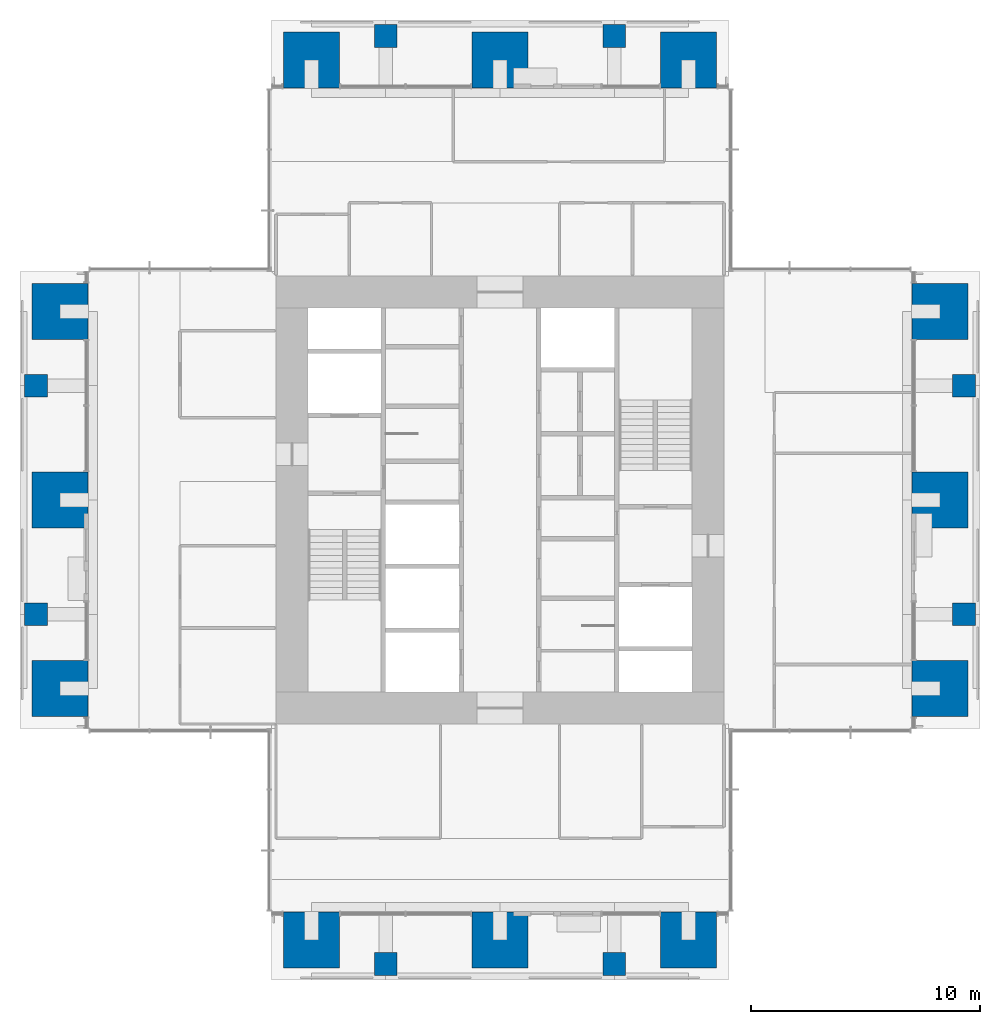
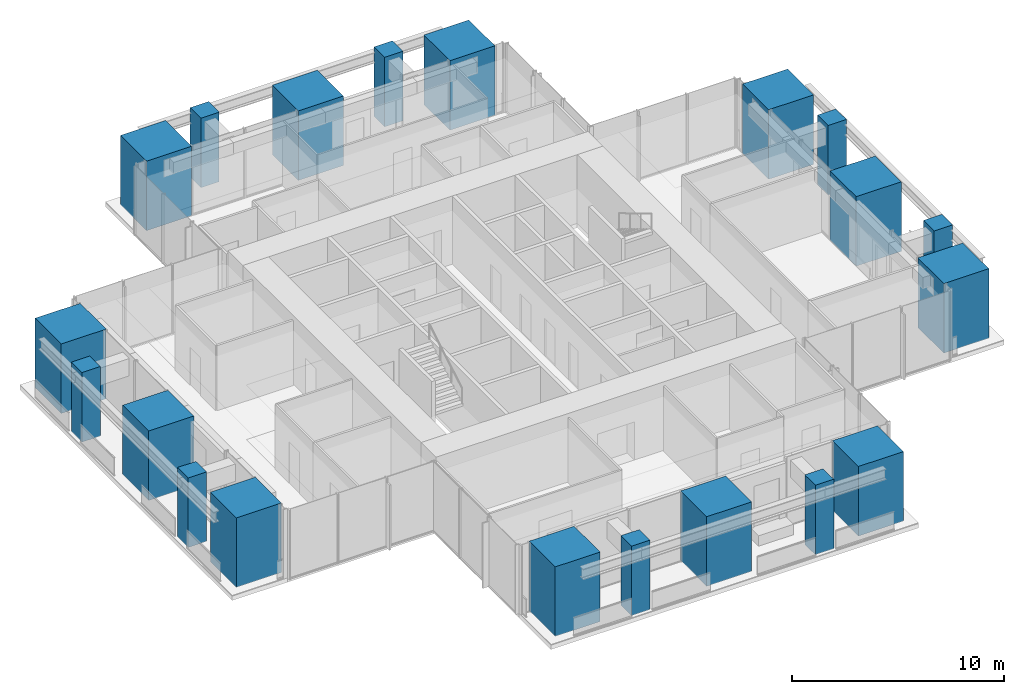
# One storey, part 1 of 17: 20 columns.
"""IFC4 building model written with IfcOpenShell, lengths in metres."""

from ifc_helpers import new_model, si_unit, direction, frame, origin, origin_2d, place, context, subcontext, project, spatial, rectangle, extrude, material, material_profile, profile_set, type_object, element, save


model = new_model("IFC4")

# Units and contexts
model_context = context("Model", 3, precision=1e-05, world=origin(), true_north=direction((0.0, 1.0)))
body_context = subcontext(model_context, "Body", "Model", "MODEL_VIEW")
ifc_project = project(units=[si_unit("LENGTHUNIT", "METRE"), si_unit("AREAUNIT", "SQUARE_METRE"), si_unit("VOLUMEUNIT", "CUBIC_METRE"), si_unit("PLANEANGLEUNIT", "RADIAN"), si_unit("MASSUNIT", "GRAM", prefix="KILO")], contexts=[model_context])

# Site, building, storey
site_placement = place(None, origin())
site = spatial("IfcSite", under=ifc_project, at=site_placement, CompositionType="ELEMENT")
building_placement = place(site_placement, origin())
building = spatial("IfcBuilding", under=site, at=building_placement, Name="Svetlomir Tower", CompositionType="ELEMENT")
storey_placement = place(building_placement, frame((0.0, 0.0, 186.5)))
storey = spatial("IfcBuildingStorey", under=building, at=storey_placement, Name="L44", CompositionType="ELEMENT", Elevation=186.5)

# Columns
ifc_material_1 = material(Name="Concrete C60/75", Category="concrete")
ifc_material_profile_1 = material_profile(ifc_material_1, rectangle(XDim=1.0, YDim=1.0, at=origin_2d()), Name="RC 1000x1000")
ifc_profile_set_1 = profile_set([ifc_material_profile_1], Name="Concrete C60/75")
column_type_1 = type_object("IfcColumnType", Name="COLUMN RC 1000x1000", PredefinedType="COLUMN", material=ifc_profile_set_1)
for number, where, z_axis, x_axis, name in (
    (1, (16.0, 0.699951171875, 0.0), (0.0, 0.0, 1.0), (1.0, 0.0, 0.0), "Column 16/0 L44"),
    (2, (26.0, 0.699951171875, 0.0), (0.0, 0.0, 1.0), (1.0, 0.0, 0.0), "Column 26/0 L44"),
    (3, (0.699951171875, 16.0, 0.0), (0.0, 0.0, 1.0), (1.0, 0.0, 0.0), "Column 0/16 L44"),
    (4, (41.300048828125, 16.0, 0.0), (0.0, 0.0, 1.0), (1.0, 0.0, 0.0), "Column 42/16 L44"),
    (5, (0.699951171875, 26.0, 0.0), (0.0, 0.0, 1.0), (1.0, 0.0, 0.0), "Column 0/26 L44"),
    (6, (41.300048828125, 26.0, 0.0), (0.0, 0.0, 1.0), (1.0, 0.0, 0.0), "Column 42/26 L44"),
    (7, (16.0, 41.300048828125, 0.0), (0.0, 0.0, 1.0), (1.0, 0.0, 0.0), "Column 16/42 L44"),
    (8, (26.0, 41.300048828125, 0.0), (0.0, 0.0, 1.0), (1.0, 0.0, 0.0), "Column 26/42 L44"),
):
    element("IfcColumn", number, at=place(storey_placement, frame(where, z_axis=z_axis, x_axis=x_axis)), inside=storey, type_object=column_type_1, Name=name, PredefinedType="COLUMN", context=body_context, shape_type="SweptSolid", body=[
        extrude(rectangle(XDim=1.0, YDim=1.0, at=origin_2d()), origin(), (0.0, 0.0, 1.0), 4.0),
    ])
ifc_material_2 = material(Name="Concrete C60/75", Category="concrete")
ifc_material_profile_2 = material_profile(ifc_material_2, rectangle(XDim=2.449951171875, YDim=2.449951171875, at=origin_2d()), Name="RC 2450x2450")
ifc_profile_set_2 = profile_set([ifc_material_profile_2], Name="Concrete C60/75")
column_type_2 = type_object("IfcColumnType", Name="COLUMN RC 2450x2450", PredefinedType="COLUMN", material=ifc_profile_set_2)
for number, where, z_axis, x_axis, name in (
    (9, (12.75, 1.75, 0.0), (0.0, 0.0, 1.0), (1.0, 0.0, 0.0), "Column 11/0 L44"),
    (10, (21.0, 1.75, 0.0), (0.0, 0.0, 1.0), (1.0, 0.0, 0.0), "Column 21/0 L44"),
    (11, (29.25, 1.75, 0.0), (0.0, 0.0, 1.0), (1.0, 0.0, 0.0), "Column 31/0 L44"),
    (12, (1.75, 12.75, 0.0), (0.0, 0.0, 1.0), (1.0, 0.0, 0.0), "Column 0/11 L44"),
    (13, (40.25, 12.75, 0.0), (0.0, 0.0, 1.0), (1.0, 0.0, 0.0), "Column 42/11 L44"),
    (14, (1.75, 21.0, 0.0), (0.0, 0.0, 1.0), (1.0, 0.0, 0.0), "Column 0/21 L44"),
    (15, (40.25, 21.0, 0.0), (0.0, 0.0, 1.0), (1.0, 0.0, 0.0), "Column 42/21 L44"),
    (16, (1.75, 29.25, 0.0), (0.0, 0.0, 1.0), (1.0, 0.0, 0.0), "Column 0/31 L44"),
    (17, (40.25, 29.25, 0.0), (0.0, 0.0, 1.0), (1.0, 0.0, 0.0), "Column 42/31 L44"),
    (18, (12.75, 40.25, 0.0), (0.0, 0.0, 1.0), (1.0, 0.0, 0.0), "Column 11/42 L44"),
    (19, (21.0, 40.25, 0.0), (0.0, 0.0, 1.0), (1.0, 0.0, 0.0), "Column 21/42 L44"),
    (20, (29.25, 40.25, 0.0), (0.0, 0.0, 1.0), (1.0, 0.0, 0.0), "Column 31/42 L44"),
):
    element("IfcColumn", number, at=place(storey_placement, frame(where, z_axis=z_axis, x_axis=x_axis)), inside=storey, type_object=column_type_2, Name=name, PredefinedType="COLUMN", context=body_context, shape_type="SweptSolid", body=[
        extrude(rectangle(XDim=2.449951171875, YDim=2.449951171875, at=origin_2d()), origin(), (0.0, 0.0, 1.0), 4.0),
    ])

save(model, "model.ifc")
